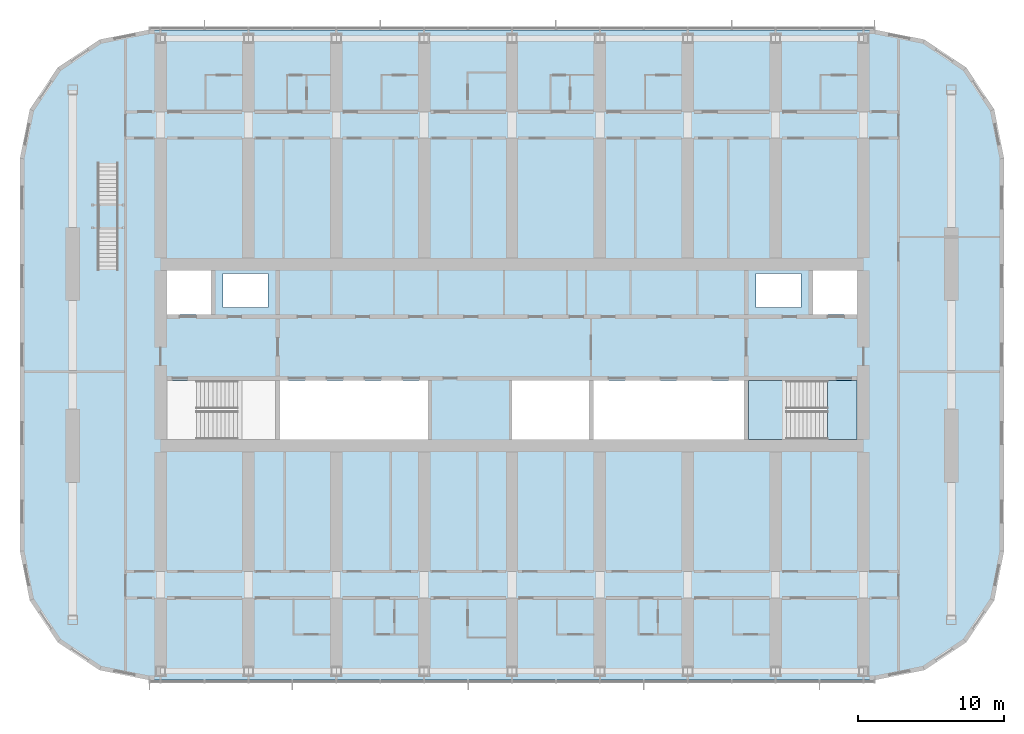
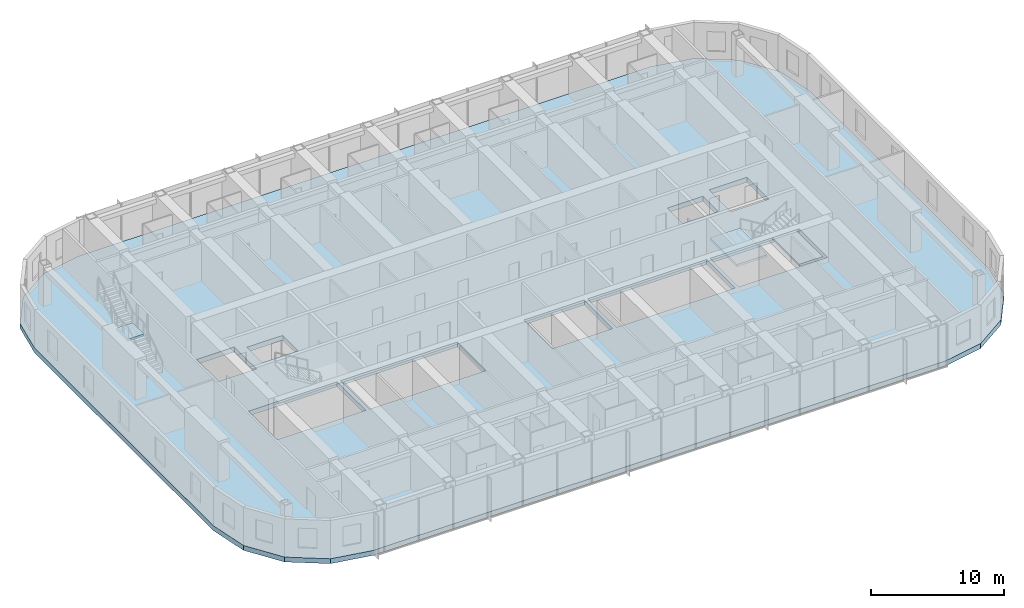
# One storey, part 12 of 29: 4 slabs, 2 elements without a shape of their own.
"""IFC4 building model written with IfcOpenShell, lengths in metres."""

from ifc_helpers import new_model, si_unit, direction, frame, origin, place, context, subcontext, project, spatial, polyline, outline, extrude, material, layer, layer_set, type_object, element, aggregate, save


model = new_model("IFC4")

# Units and contexts
model_context = context("Model", 3, precision=1e-05, world=origin(), true_north=direction((0.0, 1.0)))
body_context = subcontext(model_context, "Body", "Model", "MODEL_VIEW")
ifc_project = project(units=[si_unit("LENGTHUNIT", "METRE"), si_unit("AREAUNIT", "SQUARE_METRE"), si_unit("VOLUMEUNIT", "CUBIC_METRE"), si_unit("PLANEANGLEUNIT", "RADIAN"), si_unit("MASSUNIT", "GRAM", prefix="KILO")], contexts=[model_context])

# Site, building, storey
site_placement = place(None, origin())
site = spatial("IfcSite", under=ifc_project, at=site_placement, CompositionType="ELEMENT")
building_placement = place(site_placement, origin())
building = spatial("IfcBuilding", under=site, at=building_placement, Name="Orbita Commons", CompositionType="ELEMENT")
storey_placement = place(building_placement, frame((0.0, 0.0, 148.60009765625)))
storey = spatial("IfcBuildingStorey", under=building, at=storey_placement, Name="L36", CompositionType="ELEMENT", Elevation=148.60009765625)

# Stair, slab
ifc_material_1 = material(Name="Steel ASTM A992 stringers, precast concrete C40/50 terrazzo treads", Category="concrete")
stair_type_1 = type_object("IfcStairType", Name="Feature stair 22 risers 170 x 280 x 1400", PredefinedType="STRAIGHT_RUN_STAIR", material=ifc_material_1)
stair_1_placement = place(storey_placement, origin())
stair_1 = element("IfcStair", 1, at=stair_1_placement, inside=storey, type_object=stair_type_1, Name="Neighbourhood stair L36 to L37", PredefinedType="STRAIGHT_RUN_STAIR")
ifc_material_2 = material(Name="Concrete C40/50", Category="concrete")
ifc_layer_1 = layer(ifc_material_2, 0.199951171875)
ifc_layer_set_1 = layer_set([ifc_layer_1], Name="Concrete C40/50")
slab_type_1 = type_object("IfcSlabType", Name="Feature stair landing 200", PredefinedType="LANDING", material=ifc_layer_set_1)
slab_1_placement = place(storey_placement, frame((0.0, 0.0, 1.6748046875)))
slab_1 = element("IfcSlab", 2, at=slab_1_placement, type_object=slab_type_1, Name="FS landing 1", PredefinedType="LANDING", context=body_context, shape_type="SweptSolid", body=[
    extrude(outline(polyline([(13.699951171875, 40.60009765625), (15.10009765625, 40.60009765625), (15.10009765625, 42.31005859375), (13.699951171875, 42.31005859375), (13.699951171875, 40.60009765625)])), origin(), (0.0, 0.0, 1.0), 0.2001953125),
])
aggregate(stair_1, [slab_1])

# Slab
ifc_material_3 = material(Name="Concrete C40/50", Category="concrete")
ifc_layer_2 = layer(ifc_material_3, 0.449951171875)
ifc_layer_set_2 = layer_set([ifc_layer_2], Name="Concrete C40/50")
slab_type_2 = type_object("IfcSlabType", Name="Floor slab 450", PredefinedType="FLOOR", material=ifc_layer_set_2)
slab_2_placement = place(storey_placement, frame((0.0, 0.0, -0.4501953125)))
element("IfcSlab", 3, at=slab_2_placement, inside=storey, type_object=slab_type_2, Name="Floor slab L36", PredefinedType="FLOOR", context=body_context, shape_type="SweptSolid", body=[
    extrude(outline(polyline([(66.800048828125, 9.800048828125), (70.167724609375, 10.469970703125), (73.0224609375, 12.37744140625), (74.93017578125, 15.232421875), (75.60009765625, 18.60009765625), (75.60009765625, 45.39990234375), (74.93017578125, 48.767578125), (73.0224609375, 51.62255859375), (70.167724609375, 53.530029296875), (66.800048828125, 54.199951171875), (17.199951171875, 54.199951171875), (13.832275390625, 53.530029296875), (10.9775390625, 51.62255859375), (9.06982421875, 48.767578125), (8.39990234375, 45.39990234375), (8.39990234375, 18.60009765625), (9.06982421875, 15.232421875), (10.9775390625, 12.37744140625), (13.832275390625, 10.469970703125), (17.199951171875, 9.800048828125), (66.800048828125, 9.800048828125)]), holes=[polyline([(18.14990234375, 25.949951171875), (25.85009765625, 25.949951171875), (25.85009765625, 30.25), (18.14990234375, 30.25), (18.14990234375, 25.949951171875)]), polyline([(58.14990234375, 25.949951171875), (65.85009765625, 25.949951171875), (65.85009765625, 30.25), (58.14990234375, 30.25), (58.14990234375, 25.949951171875)]), polyline([(18.14990234375, 34.75), (21.449951171875, 34.75), (21.449951171875, 38.050048828125), (18.14990234375, 38.050048828125), (18.14990234375, 34.75)]), polyline([(62.550048828125, 34.75), (65.85009765625, 34.75), (65.85009765625, 38.050048828125), (62.550048828125, 38.050048828125), (62.550048828125, 34.75)]), polyline([(22.25, 35.25), (25.35009765625, 35.25), (25.35009765625, 37.550048828125), (22.25, 37.550048828125), (22.25, 35.25)]), polyline([(58.64990234375, 35.25), (61.75, 35.25), (61.75, 37.550048828125), (58.64990234375, 37.550048828125), (58.64990234375, 35.25)]), polyline([(26.14990234375, 25.949951171875), (36.25, 25.949951171875), (36.25, 30.25), (26.14990234375, 30.25), (26.14990234375, 25.949951171875)]), polyline([(42.0, 25.949951171875), (47.25, 25.949951171875), (47.25, 30.25), (42.0, 30.25), (42.0, 25.949951171875)]), polyline([(47.550048828125, 25.949951171875), (57.85009765625, 25.949951171875), (57.85009765625, 30.25), (47.550048828125, 30.25), (47.550048828125, 25.949951171875)])]), origin(), (0.0, 0.0, 1.0), 0.4501953125),
])

# Stair, slabs
ifc_material_4 = material(Name="Precast concrete C40/50", Category="concrete")
stair_type_2 = type_object("IfcStairType", Name="Exit stair S2 2 flights 11 risers 170", PredefinedType="HALF_TURN_STAIR", material=ifc_material_4)
stair_2_placement = place(storey_placement, origin())
stair_2 = element("IfcStair", 4, at=stair_2_placement, inside=storey, type_object=stair_type_2, Name="Exit stair S2 L36", PredefinedType="HALF_TURN_STAIR")
ifc_material_5 = material(Name="Concrete C40/50", Category="concrete")
ifc_layer_3 = layer(ifc_material_5, 0.199951171875)
ifc_layer_set_3 = layer_set([ifc_layer_3], Name="Concrete C40/50")
slab_type_3 = type_object("IfcSlabType", Name="Stair landing 200", PredefinedType="LANDING", material=ifc_layer_set_3)
slab_3_placement = place(storey_placement, frame((0.0, 0.0, -0.2001953125)))
slab_3 = element("IfcSlab", 5, at=slab_3_placement, type_object=slab_type_3, Name="S2 landing 1", PredefinedType="LANDING", context=body_context, shape_type="SweptSolid", body=[
    extrude(outline(polyline([(63.550048828125, 26.22509765625), (65.574951171875, 26.22509765625), (65.574951171875, 30.25), (63.550048828125, 30.25), (63.550048828125, 26.22509765625)])), origin(), (0.0, 0.0, 1.0), 0.2001953125),
])
slab_4_placement = place(storey_placement, frame((0.0, 0.0, 1.6748046875)))
slab_4 = element("IfcSlab", 6, at=slab_4_placement, type_object=slab_type_3, Name="S2 landing 2", PredefinedType="LANDING", context=body_context, shape_type="SweptSolid", body=[
    extrude(outline(polyline([(58.135009765625, 26.2099609375), (60.75, 26.2099609375), (60.75, 30.264892578125), (58.135009765625, 30.264892578125), (58.135009765625, 26.2099609375)])), origin(), (0.0, 0.0, 1.0), 0.2001953125),
])
aggregate(stair_2, [slab_3, slab_4])

save(model, "model.ifc")
